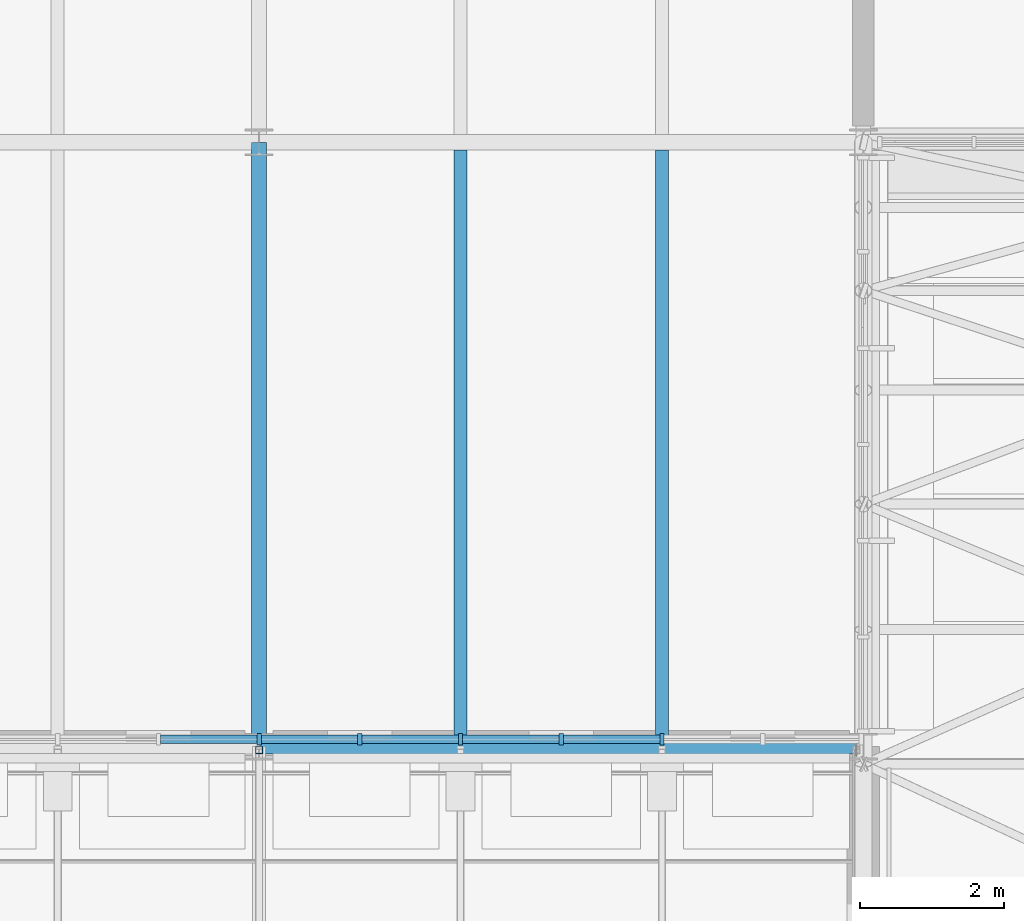
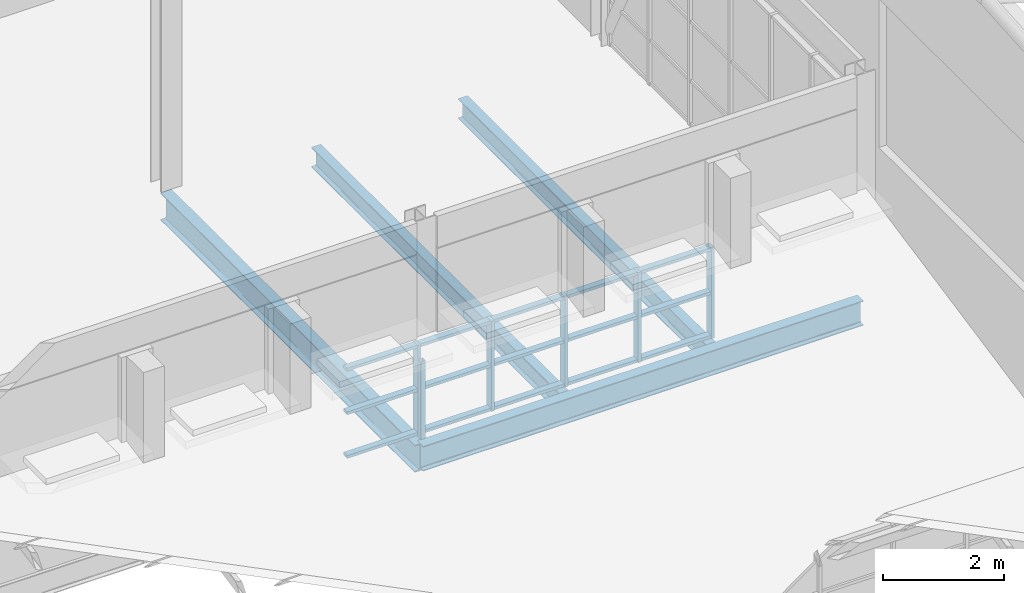
# One storey, part 38 of 121: 21 members, 4 beams, 1 element without a shape of its own.
"""IFC4 building model written with IfcOpenShell, lengths in metres."""

from ifc_helpers import new_model, si_unit, direction, frame, origin, origin_2d, place, context, subcontext, project, spatial, rectangle, hollow_rectangle, i_section, extrude, material, layer, layer_set, material_profile, profile_set, type_object, element, aggregate, save


model = new_model("IFC4")

# Units and contexts
model_context = context("Model", 3, precision=1e-05, world=origin(), true_north=direction((0.0, 1.0)))
body_context = subcontext(model_context, "Body", "Model", "MODEL_VIEW")
ifc_project = project(units=[si_unit("LENGTHUNIT", "METRE"), si_unit("AREAUNIT", "SQUARE_METRE"), si_unit("VOLUMEUNIT", "CUBIC_METRE"), si_unit("PLANEANGLEUNIT", "RADIAN"), si_unit("MASSUNIT", "GRAM", prefix="KILO")], contexts=[model_context])

# Site, building, storey
site_placement = place(None, origin())
site = spatial("IfcSite", under=ifc_project, at=site_placement, CompositionType="ELEMENT")
building_placement = place(site_placement, origin())
building = spatial("IfcBuilding", under=site, at=building_placement, Name="Ardhachandra Cancer Care Centre", CompositionType="ELEMENT")
storey_placement = place(building_placement, frame((0.0, 0.0, 9.0)))
storey = spatial("IfcBuildingStorey", under=building, at=storey_placement, Name="L02", CompositionType="ELEMENT", Elevation=9.0)

# Beams
ifc_material_1 = material(Name="Steel E350 (IS 2062)", Category="steel")
ifc_material_profile_1 = material_profile(ifc_material_1, i_section(OverallWidth=0.179931640625, OverallDepth=0.39990234375, WebThickness=0.008544921875, FlangeThickness=0.013427734375, FilletRadius=0.02099609375, at=origin_2d()), Name="NPB 400x180x66.30")
ifc_profile_set_1 = profile_set([ifc_material_profile_1], Name="Steel E350 (IS 2062)")
beam_type_1 = type_object("IfcBeamType", Name="Beam NPB 400x180x66.30", PredefinedType="BEAM", material=ifc_profile_set_1)
for number, where, z_axis, x_axis, name in (
    (1, (38.800048828125, 71.5, -0.35009765625), (0.0, 1.0, 0.0), (-1.0, 0.0, 0.0), "Secondary H4-J4@2800"),
    (2, (41.60009765625, 71.5, -0.35009765625), (0.0, 1.0, 0.0), (-1.0, 0.0, 0.0), "Secondary H4-J4@5600"),
):
    element("IfcBeam", number, at=place(storey_placement, frame(where, z_axis=z_axis, x_axis=x_axis)), inside=storey, type_object=beam_type_1, Name=name, PredefinedType="BEAM", context=body_context, shape_type="SweptSolid", body=[
        extrude(i_section(OverallWidth=0.179931640625, OverallDepth=0.39990234375, WebThickness=0.008544921875, FlangeThickness=0.013427734375, FilletRadius=0.02099609375, at=origin_2d()), origin(), (0.0, 0.0, 1.0), 8.195068359375),
    ])
ifc_material_2 = material(Name="Steel E350 (IS 2062)", Category="steel")
ifc_material_profile_2 = material_profile(ifc_material_2, i_section(OverallWidth=0.199951171875, OverallDepth=0.5, WebThickness=0.01025390625, FlangeThickness=0.01611328125, FilletRadius=0.02099609375, at=origin_2d()), Name="NPB 500x200x90.68")
ifc_profile_set_2 = profile_set([ifc_material_profile_2], Name="Steel E350 (IS 2062)")
beam_type_2 = type_object("IfcBeamType", Name="Beam NPB 500x200x90.68", PredefinedType="BEAM", material=ifc_profile_set_2)
beam_1_placement = place(storey_placement, frame((36.0, 71.39990234375, -0.39990234375), z_axis=(1.0, 0.0, 0.0), x_axis=(0.0, 1.0, 0.0)))
element("IfcBeam", 3, at=beam_1_placement, inside=storey, type_object=beam_type_2, Name="Edge girder H4-H5", PredefinedType="BEAM", context=body_context, shape_type="SweptSolid", body=[
    extrude(i_section(OverallWidth=0.199951171875, OverallDepth=0.5, WebThickness=0.01025390625, FlangeThickness=0.01611328125, FilletRadius=0.02099609375, at=origin_2d()), origin(), (0.0, 0.0, 1.0), 8.39990234375),
])
ifc_material_3 = material(Name="Steel E350 (IS 2062)", Category="steel")
ifc_material_profile_3 = material_profile(ifc_material_3, i_section(OverallWidth=0.2099609375, OverallDepth=0.550048828125, WebThickness=0.010986328125, FlangeThickness=0.01708984375, FilletRadius=0.02392578125, at=origin_2d()), Name="NPB 550x210x105.52")
ifc_profile_set_3 = profile_set([ifc_material_profile_3], Name="Steel E350 (IS 2062)")
beam_type_3 = type_object("IfcBeamType", Name="Beam NPB 550x210x105.52", PredefinedType="BEAM", material=ifc_profile_set_3)
beam_2_placement = place(storey_placement, frame((36.0, 71.39990234375, -0.425048828125), z_axis=(0.0, 1.0, 0.0), x_axis=(-1.0, 0.0, 0.0)))
element("IfcBeam", 4, at=beam_2_placement, inside=storey, type_object=beam_type_3, Name="Girder H4-J4", PredefinedType="BEAM", context=body_context, shape_type="SweptSolid", body=[
    extrude(i_section(OverallWidth=0.2099609375, OverallDepth=0.550048828125, WebThickness=0.010986328125, FlangeThickness=0.01708984375, FilletRadius=0.02392578125, at=origin_2d()), origin(), (0.0, 0.0, 1.0), 8.400146484375),
])

# Curtain wall, members
ifc_material_4 = material(Name="Aluminium extrusion", Category="aluminium")
ifc_layer = layer(ifc_material_4, 0.14990234375)
ifc_layer_set = layer_set([ifc_layer], Name="Aluminium extrusion")
curtain_wall_type = type_object("IfcCurtainWallType", Name="Curtain wall run", PredefinedType="NOTDEFINED", material=ifc_layer_set)
curtain_wall_placement = place(storey_placement, origin())
curtain_wall = element("IfcCurtainWall", 5, at=curtain_wall_placement, inside=storey, type_object=curtain_wall_type, Name="Curtain wall L02 n/0019200_0071500", PredefinedType="NOTDEFINED")
ifc_material_5 = material(Name="Aluminium extrusion", Category="aluminium")
ifc_material_profile_4 = material_profile(ifc_material_5, rectangle(XDim=0.159912109375, YDim=0.06005859375, at=origin_2d()), Name="Curtain wall mullion 60 x 160")
ifc_profile_set_4 = profile_set([ifc_material_profile_4], Name="Aluminium extrusion")
member_type_1 = type_object("IfcMemberType", Name="Curtain wall mullion 60 x 160", PredefinedType="MULLION", material=ifc_profile_set_4)
member_1_placement = place(storey_placement, frame((36.0, 71.5, 0.0), z_axis=(0.0, 0.0, 1.0), x_axis=(0.0, 1.0, 0.0)))
member_1 = element("IfcMember", 6, at=member_1_placement, type_object=member_type_1, Name="CW mullion 13", PredefinedType="MULLION", context=body_context, shape_type="SweptSolid", body=[
    extrude(rectangle(XDim=0.159912109375, YDim=0.06005859375, at=origin_2d()), origin(), (0.0, 0.0, 1.0), 1.820068359375),
])
member_2_placement = place(storey_placement, frame((37.39990234375, 71.5, 0.0), z_axis=(0.0, 0.0, 1.0), x_axis=(0.0, 1.0, 0.0)))
member_2 = element("IfcMember", 7, at=member_2_placement, type_object=member_type_1, Name="CW mullion 14", PredefinedType="MULLION", context=body_context, shape_type="SweptSolid", body=[
    extrude(rectangle(XDim=0.159912109375, YDim=0.06005859375, at=origin_2d()), origin(), (0.0, 0.0, 1.0), 1.820068359375),
])
member_3_placement = place(storey_placement, frame((38.800048828125, 71.5, 0.0), z_axis=(0.0, 0.0, 1.0), x_axis=(0.0, 1.0, 0.0)))
member_3 = element("IfcMember", 8, at=member_3_placement, type_object=member_type_1, Name="CW mullion 15", PredefinedType="MULLION", context=body_context, shape_type="SweptSolid", body=[
    extrude(rectangle(XDim=0.159912109375, YDim=0.06005859375, at=origin_2d()), origin(), (0.0, 0.0, 1.0), 1.820068359375),
])
member_4_placement = place(storey_placement, frame((40.199951171875, 71.5, 0.0), z_axis=(0.0, 0.0, 1.0), x_axis=(0.0, 1.0, 0.0)))
member_4 = element("IfcMember", 9, at=member_4_placement, type_object=member_type_1, Name="CW mullion 16", PredefinedType="MULLION", context=body_context, shape_type="SweptSolid", body=[
    extrude(rectangle(XDim=0.159912109375, YDim=0.06005859375, at=origin_2d()), origin(), (0.0, 0.0, 1.0), 1.820068359375),
])
member_5_placement = place(storey_placement, frame((41.60009765625, 71.5, 0.0), z_axis=(0.0, 0.0, 1.0), x_axis=(0.0, 1.0, 0.0)))
member_5 = element("IfcMember", 10, at=member_5_placement, type_object=member_type_1, Name="CW mullion 17", PredefinedType="MULLION", context=body_context, shape_type="SweptSolid", body=[
    extrude(rectangle(XDim=0.159912109375, YDim=0.06005859375, at=origin_2d()), origin(), (0.0, 0.0, 1.0), 1.820068359375),
])
ifc_material_6 = material(Name="Aluminium extrusion", Category="aluminium")
ifc_material_profile_5 = material_profile(ifc_material_6, rectangle(XDim=0.1201171875, YDim=0.06005859375, at=origin_2d()), Name="Curtain wall transom 60 x 120")
ifc_profile_set_5 = profile_set([ifc_material_profile_5], Name="Aluminium extrusion")
member_type_2 = type_object("IfcMemberType", Name="Curtain wall transom 60 x 120", PredefinedType="USERDEFINED", material=ifc_profile_set_5)
member_6_placement = place(storey_placement, frame((34.6298828125, 71.5, 0.030029296875), z_axis=(1.0, 0.0, 0.0), x_axis=(0.0, 1.0, 0.0)))
member_6 = element("IfcMember", 11, at=member_6_placement, type_object=member_type_2, Name="CW transom 12.1", ObjectType="TRANSOM", PredefinedType="USERDEFINED", context=body_context, shape_type="SweptSolid", body=[
    extrude(rectangle(XDim=0.1201171875, YDim=0.06005859375, at=origin_2d()), origin(), (0.0, 0.0, 1.0), 1.340087890625),
])
member_7_placement = place(storey_placement, frame((34.6298828125, 71.5, 0.909912109375), z_axis=(1.0, 0.0, 0.0), x_axis=(0.0, 1.0, 0.0)))
member_7 = element("IfcMember", 12, at=member_7_placement, type_object=member_type_2, Name="CW transom 12.2", ObjectType="TRANSOM", PredefinedType="USERDEFINED", context=body_context, shape_type="SweptSolid", body=[
    extrude(rectangle(XDim=0.1201171875, YDim=0.06005859375, at=origin_2d()), origin(), (0.0, 0.0, 1.0), 1.340087890625),
])
member_8_placement = place(storey_placement, frame((34.6298828125, 71.5, 1.7900390625), z_axis=(1.0, 0.0, 0.0), x_axis=(0.0, 1.0, 0.0)))
member_8 = element("IfcMember", 13, at=member_8_placement, type_object=member_type_2, Name="CW transom 12.3", ObjectType="TRANSOM", PredefinedType="USERDEFINED", context=body_context, shape_type="SweptSolid", body=[
    extrude(rectangle(XDim=0.1201171875, YDim=0.06005859375, at=origin_2d()), origin(), (0.0, 0.0, 1.0), 1.340087890625),
])
member_9_placement = place(storey_placement, frame((36.030029296875, 71.5, 0.030029296875), z_axis=(1.0, 0.0, 0.0), x_axis=(0.0, 1.0, 0.0)))
member_9 = element("IfcMember", 14, at=member_9_placement, type_object=member_type_2, Name="CW transom 13.1", ObjectType="TRANSOM", PredefinedType="USERDEFINED", context=body_context, shape_type="SweptSolid", body=[
    extrude(rectangle(XDim=0.1201171875, YDim=0.06005859375, at=origin_2d()), origin(), (0.0, 0.0, 1.0), 1.340087890625),
])
member_10_placement = place(storey_placement, frame((36.030029296875, 71.5, 0.909912109375), z_axis=(1.0, 0.0, 0.0), x_axis=(0.0, 1.0, 0.0)))
member_10 = element("IfcMember", 15, at=member_10_placement, type_object=member_type_2, Name="CW transom 13.2", ObjectType="TRANSOM", PredefinedType="USERDEFINED", context=body_context, shape_type="SweptSolid", body=[
    extrude(rectangle(XDim=0.1201171875, YDim=0.06005859375, at=origin_2d()), origin(), (0.0, 0.0, 1.0), 1.340087890625),
])
member_11_placement = place(storey_placement, frame((36.030029296875, 71.5, 1.7900390625), z_axis=(1.0, 0.0, 0.0), x_axis=(0.0, 1.0, 0.0)))
member_11 = element("IfcMember", 16, at=member_11_placement, type_object=member_type_2, Name="CW transom 13.3", ObjectType="TRANSOM", PredefinedType="USERDEFINED", context=body_context, shape_type="SweptSolid", body=[
    extrude(rectangle(XDim=0.1201171875, YDim=0.06005859375, at=origin_2d()), origin(), (0.0, 0.0, 1.0), 1.340087890625),
])
member_12_placement = place(storey_placement, frame((37.429931640625, 71.5, 0.030029296875), z_axis=(1.0, 0.0, 0.0), x_axis=(0.0, 1.0, 0.0)))
member_12 = element("IfcMember", 17, at=member_12_placement, type_object=member_type_2, Name="CW transom 14.1", ObjectType="TRANSOM", PredefinedType="USERDEFINED", context=body_context, shape_type="SweptSolid", body=[
    extrude(rectangle(XDim=0.1201171875, YDim=0.06005859375, at=origin_2d()), origin(), (0.0, 0.0, 1.0), 1.340087890625),
])
member_13_placement = place(storey_placement, frame((37.429931640625, 71.5, 0.909912109375), z_axis=(1.0, 0.0, 0.0), x_axis=(0.0, 1.0, 0.0)))
member_13 = element("IfcMember", 18, at=member_13_placement, type_object=member_type_2, Name="CW transom 14.2", ObjectType="TRANSOM", PredefinedType="USERDEFINED", context=body_context, shape_type="SweptSolid", body=[
    extrude(rectangle(XDim=0.1201171875, YDim=0.06005859375, at=origin_2d()), origin(), (0.0, 0.0, 1.0), 1.340087890625),
])
member_14_placement = place(storey_placement, frame((37.429931640625, 71.5, 1.7900390625), z_axis=(1.0, 0.0, 0.0), x_axis=(0.0, 1.0, 0.0)))
member_14 = element("IfcMember", 19, at=member_14_placement, type_object=member_type_2, Name="CW transom 14.3", ObjectType="TRANSOM", PredefinedType="USERDEFINED", context=body_context, shape_type="SweptSolid", body=[
    extrude(rectangle(XDim=0.1201171875, YDim=0.06005859375, at=origin_2d()), origin(), (0.0, 0.0, 1.0), 1.340087890625),
])
member_15_placement = place(storey_placement, frame((38.830078125, 71.5, 0.030029296875), z_axis=(1.0, 0.0, 0.0), x_axis=(0.0, 1.0, 0.0)))
member_15 = element("IfcMember", 20, at=member_15_placement, type_object=member_type_2, Name="CW transom 15.1", ObjectType="TRANSOM", PredefinedType="USERDEFINED", context=body_context, shape_type="SweptSolid", body=[
    extrude(rectangle(XDim=0.1201171875, YDim=0.06005859375, at=origin_2d()), origin(), (0.0, 0.0, 1.0), 1.33984375),
])
member_16_placement = place(storey_placement, frame((38.830078125, 71.5, 0.909912109375), z_axis=(1.0, 0.0, 0.0), x_axis=(0.0, 1.0, 0.0)))
member_16 = element("IfcMember", 21, at=member_16_placement, type_object=member_type_2, Name="CW transom 15.2", ObjectType="TRANSOM", PredefinedType="USERDEFINED", context=body_context, shape_type="SweptSolid", body=[
    extrude(rectangle(XDim=0.1201171875, YDim=0.06005859375, at=origin_2d()), origin(), (0.0, 0.0, 1.0), 1.33984375),
])
member_17_placement = place(storey_placement, frame((38.830078125, 71.5, 1.7900390625), z_axis=(1.0, 0.0, 0.0), x_axis=(0.0, 1.0, 0.0)))
member_17 = element("IfcMember", 22, at=member_17_placement, type_object=member_type_2, Name="CW transom 15.3", ObjectType="TRANSOM", PredefinedType="USERDEFINED", context=body_context, shape_type="SweptSolid", body=[
    extrude(rectangle(XDim=0.1201171875, YDim=0.06005859375, at=origin_2d()), origin(), (0.0, 0.0, 1.0), 1.33984375),
])
member_18_placement = place(storey_placement, frame((40.22998046875, 71.5, 0.030029296875), z_axis=(1.0, 0.0, 0.0), x_axis=(0.0, 1.0, 0.0)))
member_18 = element("IfcMember", 23, at=member_18_placement, type_object=member_type_2, Name="CW transom 16.1", ObjectType="TRANSOM", PredefinedType="USERDEFINED", context=body_context, shape_type="SweptSolid", body=[
    extrude(rectangle(XDim=0.1201171875, YDim=0.06005859375, at=origin_2d()), origin(), (0.0, 0.0, 1.0), 1.340087890625),
])
member_19_placement = place(storey_placement, frame((40.22998046875, 71.5, 0.909912109375), z_axis=(1.0, 0.0, 0.0), x_axis=(0.0, 1.0, 0.0)))
member_19 = element("IfcMember", 24, at=member_19_placement, type_object=member_type_2, Name="CW transom 16.2", ObjectType="TRANSOM", PredefinedType="USERDEFINED", context=body_context, shape_type="SweptSolid", body=[
    extrude(rectangle(XDim=0.1201171875, YDim=0.06005859375, at=origin_2d()), origin(), (0.0, 0.0, 1.0), 1.340087890625),
])
member_20_placement = place(storey_placement, frame((40.22998046875, 71.5, 1.7900390625), z_axis=(1.0, 0.0, 0.0), x_axis=(0.0, 1.0, 0.0)))
member_20 = element("IfcMember", 25, at=member_20_placement, type_object=member_type_2, Name="CW transom 16.3", ObjectType="TRANSOM", PredefinedType="USERDEFINED", context=body_context, shape_type="SweptSolid", body=[
    extrude(rectangle(XDim=0.1201171875, YDim=0.06005859375, at=origin_2d()), origin(), (0.0, 0.0, 1.0), 1.340087890625),
])
aggregate(curtain_wall, [member_1, member_2, member_3, member_4, member_5, member_6, member_7, member_8, member_9, member_10, member_11, member_12, member_13, member_14, member_15, member_16, member_17, member_18, member_19, member_20])

# Member
ifc_material_7 = material(Name="Steel E350 (IS 2062)", Category="steel")
ifc_material_profile_6 = material_profile(ifc_material_7, hollow_rectangle(XDim=0.10009765625, YDim=0.10009765625, WallThickness=0.0048828125, InnerFilletRadius=0.0048828125, OuterFilletRadius=0.010009765625, at=origin_2d()), Name="SHS 100x100x5.0")
ifc_profile_set_6 = profile_set([ifc_material_profile_6], Name="Steel E350 (IS 2062)")
member_type_3 = type_object("IfcMemberType", Name="Sawtooth ridge post SHS 100x100x5.0", PredefinedType="POST", material=ifc_profile_set_6)
member_21_placement = place(storey_placement, frame((36.0, 71.35009765625, 0.0), z_axis=(0.0, 0.0, 1.0), x_axis=(1.0, 0.0, 0.0)))
element("IfcMember", 26, at=member_21_placement, inside=storey, type_object=member_type_3, Name="Ridge post T5a.3", PredefinedType="POST", context=body_context, shape_type="SweptSolid", body=[
    extrude(hollow_rectangle(XDim=0.10009765625, YDim=0.10009765625, WallThickness=0.0048828125, InnerFilletRadius=0.0048828125, OuterFilletRadius=0.010009765625, at=origin_2d()), origin(), (0.0, 0.0, 1.0), 1.5673828125),
])

save(model, "model.ifc")
